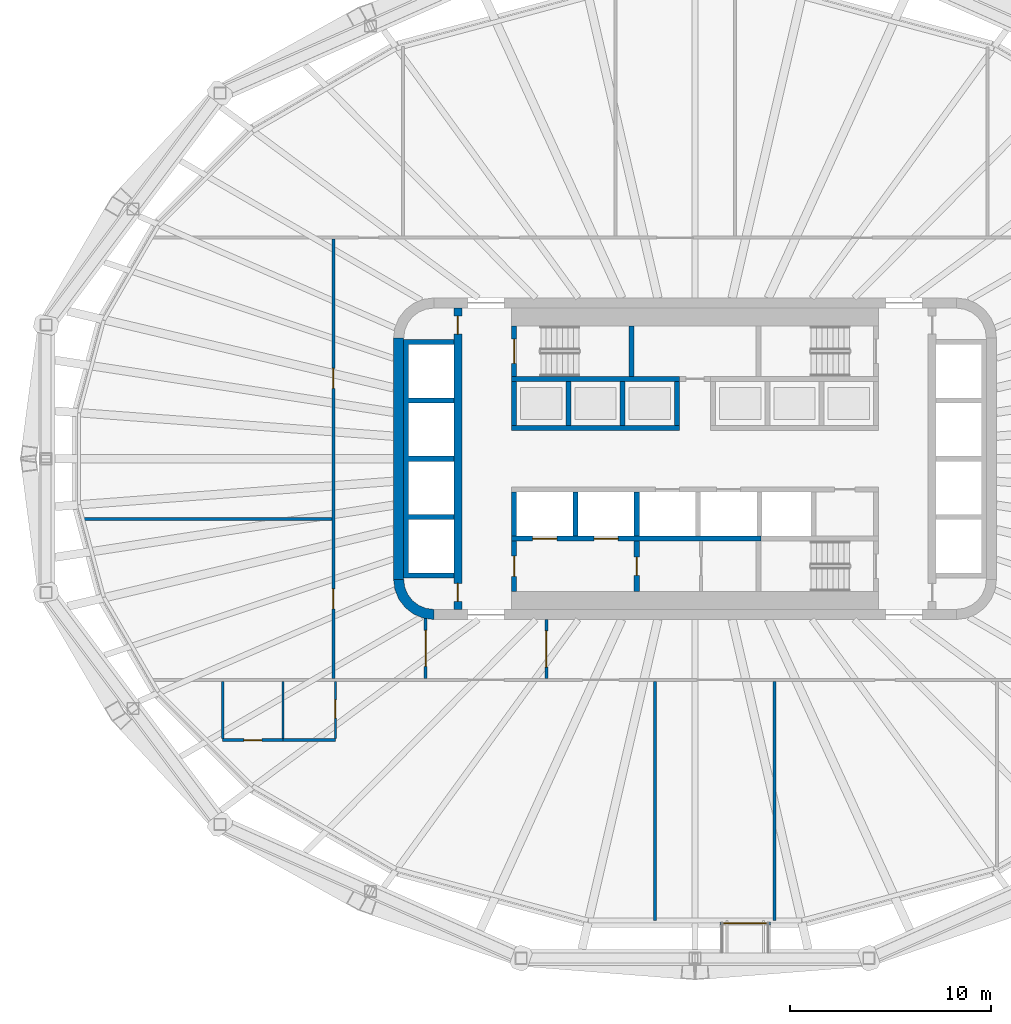
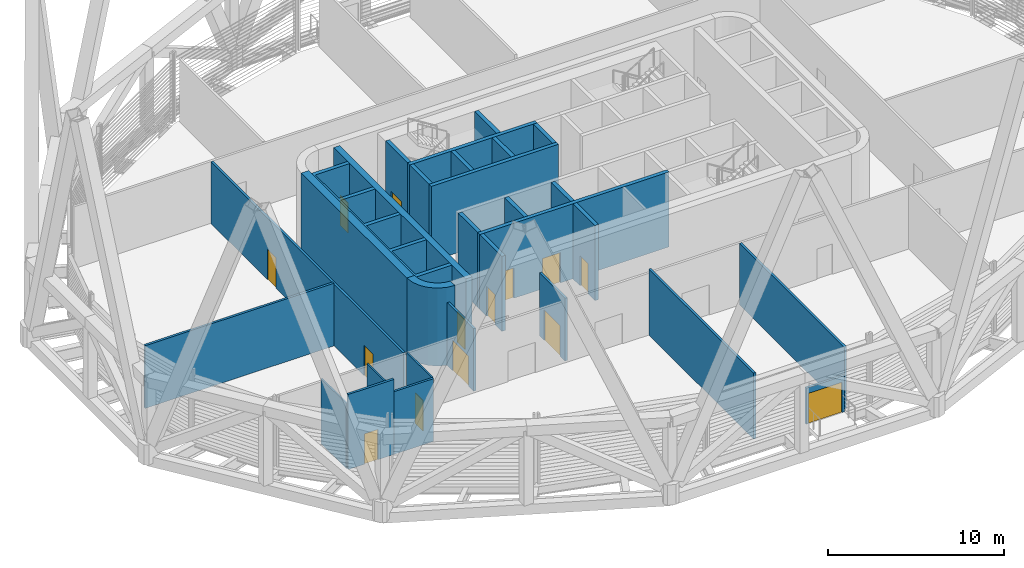
# One storey, part 6 of 18: 30 walls, 14 doors, 14 openings.
"""IFC4 building model written with IfcOpenShell, lengths in metres."""

from ifc_helpers import new_model, si_unit, direction, frame, frame_2d, origin, place, context, subcontext, project, spatial, polyline, rectangle, outline, extrude, material, layer, layer_set, type_object, element, fill, save


model = new_model("IFC4")

# Units and contexts
model_context = context("Model", 3, precision=1e-05, world=origin(), true_north=direction((0.0, 1.0)))
body_context = subcontext(model_context, "Body", "Model", "MODEL_VIEW")
ifc_project = project(units=[si_unit("LENGTHUNIT", "METRE"), si_unit("AREAUNIT", "SQUARE_METRE"), si_unit("VOLUMEUNIT", "CUBIC_METRE"), si_unit("PLANEANGLEUNIT", "RADIAN"), si_unit("MASSUNIT", "GRAM", prefix="KILO")], contexts=[model_context])

# Site, building, storey
site_placement = place(None, origin())
site = spatial("IfcSite", under=ifc_project, at=site_placement, CompositionType="ELEMENT")
building_placement = place(site_placement, origin())
building = spatial("IfcBuilding", under=site, at=building_placement, Name="Sahrelin Media Tower", CompositionType="ELEMENT")
storey_placement = place(building_placement, frame((0.0, 0.0, 197.60009765625)))
storey = spatial("IfcBuildingStorey", under=building, at=storey_placement, Name="L42", CompositionType="ELEMENT", Elevation=197.60009765625)

# Walls
ifc_material_1 = material(Name="Concrete C60/75", Category="concrete")
ifc_layer_1 = layer(ifc_material_1, 0.5)
ifc_layer_set_1 = layer_set([ifc_layer_1], Name="Core wall 500")
wall_type_1 = type_object("IfcWallType", Name="Core wall 500", PredefinedType="SHEAR", material=ifc_layer_set_1)
wall_1_placement = place(storey_placement, frame((-14.75, -6.0, 0.0), z_axis=(0.0, 0.0, 1.0), x_axis=(0.0, 1.0, 0.0)))
element("IfcWall", 1, at=wall_1_placement, inside=storey, type_object=wall_type_1, Name="Core wall W L42", PredefinedType="SHEAR", context=body_context, shape_type="SweptSolid", body=[
    extrude(rectangle(XDim=12.0, YDim=0.5, at=frame_2d((6.0, 0.0))), origin(), (0.0, 0.0, 1.0), 5.39990234375),
])
placement = place(storey_placement, origin())
element("IfcWall", 2, at=placement, inside=storey, type_object=wall_type_1, Name="Core wall corner SW L42", PredefinedType="SHEAR", context=body_context, shape_type="SweptSolid", body=[
    extrude(outline(polyline([(-13.0, -8.0), (-13.0, -7.49560546875), (-13.38720703125, -7.44482421875), (-13.747802734375, -7.29541015625), (-14.0576171875, -7.0576171875), (-14.29541015625, -6.747802734375), (-14.44482421875, -6.38720703125), (-14.49560546875, -6.0), (-15.0, -6.0), (-14.931884765625, -6.517578125), (-14.732177734375, -7.0), (-14.414306640625, -7.414306640625), (-14.0, -7.732177734375), (-13.517578125, -7.931884765625), (-13.0, -8.0)])), origin(), (0.0, 0.0, 1.0), 5.39990234375),
])

# Wall, opening, door
ifc_material_2 = material(Name="Fire-rated gypsum board partition")
ifc_layer_2 = layer(ifc_material_2, 0.14990234375)
ifc_layer_set_2 = layer_set([ifc_layer_2], Name="Fire-rated lobby wall 150")
wall_type_2 = type_object("IfcWallType", Name="Fire-rated lobby wall 150", PredefinedType="PARTITIONING", material=ifc_layer_set_2)
wall_3_placement = place(storey_placement, frame((-13.39990234375, -10.925048828125, 0.0), z_axis=(0.0, 0.0, 1.0), x_axis=(0.0, 1.0, 0.0)))
wall_3 = element("IfcWall", 3, at=wall_3_placement, inside=storey, type_object=wall_type_2, Name="Wall", PredefinedType="PARTITIONING", context=body_context, shape_type="SweptSolid", body=[
    extrude(rectangle(XDim=2.9775390625, YDim=0.14990234375, at=frame_2d((1.48876953125, 0.0))), origin(), (0.0, 0.0, 1.0), 4.344970703125),
])
opening_1_placement = place(wall_3_placement, frame((0.589111328125, 0.0, 0.0)))
opening_1 = element("IfcOpeningElement", 4, at=opening_1_placement, cuts=wall_3, Name="Opening L42-D27", PredefinedType="OPENING", context=body_context, shape_type="SweptSolid", body=[
    extrude(rectangle(XDim=1.800048828125, YDim=2.10009765625, at=frame_2d((0.89990234375, 1.050048828125))), frame((0.0, 0.074951171875, 0.0), z_axis=(0.0, -1.0, 0.0), x_axis=(1.0, 0.0, 0.0)), (0.0, 0.0, 1.0), 0.14990234375),
])
ifc_material_3 = material(Name="Steel fire door leaf", Category="steel")
door_type_1 = type_object("IfcDoorType", Name="Lobby double door 1800 x 2100 EI 60", OperationType="DOUBLE_DOOR_SINGLE_SWING", PredefinedType="DOOR", material=ifc_material_3)
door_1_placement = place(opening_1_placement, origin())
door_1 = element("IfcDoor", 5, at=door_1_placement, inside=storey, type_object=door_type_1, Name="Lobby double door", OperationType="DOUBLE_DOOR_SINGLE_SWING", OverallHeight=2.10009765625, OverallWidth=1.800048828125, PredefinedType="DOOR", context=body_context, shape_type="SweptSolid", body=[
    extrude(rectangle(XDim=1.800048828125, YDim=2.10009765625, at=frame_2d((0.89990234375, 1.050048828125))), frame((0.0, 0.02490234375, 0.0), z_axis=(0.0, -1.0, 0.0), x_axis=(1.0, 0.0, 0.0)), (0.0, 0.0, 1.0), 0.050048828125),
])
fill(opening_1, door_1)

wall_4_placement = place(storey_placement, frame((-7.39990234375, -10.925048828125, 0.0), z_axis=(0.0, 0.0, 1.0), x_axis=(0.0, 1.0, 0.0)))
wall_4 = element("IfcWall", 6, at=wall_4_placement, inside=storey, type_object=wall_type_2, Name="Wall", PredefinedType="PARTITIONING", context=body_context, shape_type="SweptSolid", body=[
    extrude(rectangle(XDim=2.925048828125, YDim=0.14990234375, at=frame_2d((1.46240234375, 0.0))), origin(), (0.0, 0.0, 1.0), 4.344970703125),
])
opening_2_placement = place(wall_4_placement, frame((0.56201171875, 0.0, 0.0)))
opening_2 = element("IfcOpeningElement", 7, at=opening_2_placement, cuts=wall_4, Name="Opening L42-D28", PredefinedType="OPENING", context=body_context, shape_type="SweptSolid", body=[
    extrude(rectangle(XDim=1.800048828125, YDim=2.10009765625, at=frame_2d((0.89990234375, 1.050048828125))), frame((0.0, 0.074951171875, 0.0), z_axis=(0.0, -1.0, 0.0), x_axis=(1.0, 0.0, 0.0)), (0.0, 0.0, 1.0), 0.14990234375),
])
door_2_placement = place(opening_2_placement, origin())
door_2 = element("IfcDoor", 8, at=door_2_placement, inside=storey, type_object=door_type_1, Name="Lobby double door", OperationType="DOUBLE_DOOR_SINGLE_SWING", OverallHeight=2.10009765625, OverallWidth=1.800048828125, PredefinedType="DOOR", context=body_context, shape_type="SweptSolid", body=[
    extrude(rectangle(XDim=1.800048828125, YDim=2.10009765625, at=frame_2d((0.89990234375, 1.050048828125))), frame((0.0, 0.02490234375, 0.0), z_axis=(0.0, -1.0, 0.0), x_axis=(1.0, 0.0, 0.0)), (0.0, 0.0, 1.0), 0.050048828125),
])
fill(opening_2, door_2)

# Wall, openings, doors
ifc_layer_3 = layer(ifc_material_2, 0.14990234375)
ifc_layer_set_3 = layer_set([ifc_layer_3], Name="Fire-rated partition 150")
wall_type_3 = type_object("IfcWallType", Name="Fire-rated partition 150", PredefinedType="PARTITIONING", material=ifc_layer_set_3)
wall_5_placement = place(storey_placement, frame((-18.0, -10.925048828125, 0.0), z_axis=(0.0, 0.0, 1.0), x_axis=(0.0, 1.0, 0.0)))
wall_5 = element("IfcWall", 9, at=wall_5_placement, inside=storey, type_object=wall_type_3, Name="Wall", PredefinedType="PARTITIONING", context=body_context, shape_type="SweptSolid", body=[
    extrude(rectangle(XDim=21.85009765625, YDim=0.14990234375, at=frame_2d((10.925048828125, 0.0))), origin(), (0.0, 0.0, 1.0), 4.27685546875),
])
opening_3_placement = place(wall_5_placement, frame((3.449951171875, 0.0, 0.0)))
opening_3 = element("IfcOpeningElement", 10, at=opening_3_placement, cuts=wall_5, Name="Opening L42-D25", PredefinedType="OPENING", context=body_context, shape_type="SweptSolid", body=[
    extrude(rectangle(XDim=1.0, YDim=2.10009765625, at=frame_2d((0.5, 1.050048828125))), frame((0.0, 0.074951171875, 0.0), z_axis=(0.0, -1.0, 0.0), x_axis=(1.0, 0.0, 0.0)), (0.0, 0.0, 1.0), 0.14990234375),
])
opening_4_placement = place(wall_5_placement, frame((14.425048828125, 0.0, 0.0)))
opening_4 = element("IfcOpeningElement", 11, at=opening_4_placement, cuts=wall_5, Name="Opening L42-D26", PredefinedType="OPENING", context=body_context, shape_type="SweptSolid", body=[
    extrude(rectangle(XDim=1.0, YDim=2.10009765625, at=frame_2d((0.5, 1.050048828125))), frame((0.0, 0.074951171875, 0.0), z_axis=(0.0, -1.0, 0.0), x_axis=(1.0, 0.0, 0.0)), (0.0, 0.0, 1.0), 0.14990234375),
])
door_type_2 = type_object("IfcDoorType", Name="Fire door 1000 x 2100 EI 60", OperationType="NOTDEFINED", PredefinedType="DOOR", material=ifc_material_3)
door_3_placement = place(opening_3_placement, origin())
door_3 = element("IfcDoor", 12, at=door_3_placement, inside=storey, type_object=door_type_2, Name="Fire door", OperationType="SINGLE_SWING_LEFT", OverallHeight=2.10009765625, OverallWidth=1.0, PredefinedType="DOOR", context=body_context, shape_type="SweptSolid", body=[
    extrude(rectangle(XDim=1.0, YDim=2.10009765625, at=frame_2d((0.5, 1.050048828125))), frame((0.0, 0.02490234375, 0.0), z_axis=(0.0, -1.0, 0.0), x_axis=(1.0, 0.0, 0.0)), (0.0, 0.0, 1.0), 0.050048828125),
])
fill(opening_3, door_3)
door_4_placement = place(opening_4_placement, origin())
door_4 = element("IfcDoor", 13, at=door_4_placement, inside=storey, type_object=door_type_2, Name="Fire door", OperationType="SINGLE_SWING_RIGHT", OverallHeight=2.10009765625, OverallWidth=1.0, PredefinedType="DOOR", context=body_context, shape_type="SweptSolid", body=[
    extrude(rectangle(XDim=1.0, YDim=2.10009765625, at=frame_2d((0.5, 1.050048828125))), frame((0.0, 0.02490234375, 0.0), z_axis=(0.0, -1.0, 0.0), x_axis=(1.0, 0.0, 0.0)), (0.0, 0.0, 1.0), 0.050048828125),
])
fill(opening_4, door_4)

# Walls
wall_6_placement = place(storey_placement, frame((-2.0, -11.074951171875, 0.0), z_axis=(0.0, 0.0, 1.0), x_axis=(0.0, -1.0, 0.0)))
element("IfcWall", 14, at=wall_6_placement, inside=storey, type_object=wall_type_3, Name="Wall", PredefinedType="PARTITIONING", context=body_context, shape_type="SweptSolid", body=[
    extrude(rectangle(XDim=11.894287109375, YDim=0.14990234375, at=frame_2d((5.947265625, 0.0))), origin(), (0.0, 0.0, 1.0), 4.577392578125),
])
wall_7_placement = place(storey_placement, frame((3.949951171875, -11.074951171875, 0.0), z_axis=(0.0, 0.0, 1.0), x_axis=(0.0, -1.0, 0.0)))
element("IfcWall", 15, at=wall_7_placement, inside=storey, type_object=wall_type_3, Name="Wall", PredefinedType="PARTITIONING", context=body_context, shape_type="SweptSolid", body=[
    extrude(rectangle(XDim=11.894287109375, YDim=0.14990234375, at=frame_2d((5.947265625, 0.0))), origin(), (0.0, 0.0, 1.0), 4.27685546875),
])
wall_8_placement = place(storey_placement, frame((-18.074951171875, -3.0, 0.0), z_axis=(0.0, 0.0, 1.0), x_axis=(-1.0, 0.0, 0.0)))
element("IfcWall", 16, at=wall_8_placement, inside=storey, type_object=wall_type_3, Name="Wall", PredefinedType="PARTITIONING", context=body_context, shape_type="SweptSolid", body=[
    extrude(rectangle(XDim=12.382568359375, YDim=0.14990234375, at=frame_2d((6.19140625, 0.0))), origin(), (0.0, 0.0, 1.0), 4.344970703125),
])

# Wall, opening, door
wall_9_placement = place(storey_placement, frame((-23.499267578125, -14.0, 0.0), z_axis=(0.0, 0.0, 1.0), x_axis=(1.0, 0.0, 0.0)))
wall_9 = element("IfcWall", 17, at=wall_9_placement, inside=storey, type_object=wall_type_3, Name="Wall", PredefinedType="PARTITIONING", context=body_context, shape_type="SweptSolid", body=[
    extrude(rectangle(XDim=3.0, YDim=0.14990234375, at=frame_2d((1.5, 0.0))), origin(), (0.0, 0.0, 1.0), 5.199951171875),
])
opening_5_placement = place(wall_9_placement, frame((1.050048828125, 0.0, 0.0)))
opening_5 = element("IfcOpeningElement", 18, at=opening_5_placement, cuts=wall_9, Name="Opening L42-D31", PredefinedType="OPENING", context=body_context, shape_type="SweptSolid", body=[
    extrude(rectangle(XDim=0.89990234375, YDim=2.10009765625, at=frame_2d((0.449951171875, 1.050048828125))), frame((0.0, 0.074951171875, 0.0), z_axis=(0.0, -1.0, 0.0), x_axis=(1.0, 0.0, 0.0)), (0.0, 0.0, 1.0), 0.14990234375),
])
ifc_material_4 = material(Name="Timber door leaf", Category="wood")
door_type_3 = type_object("IfcDoorType", Name="Single door 900 x 2100", OperationType="NOTDEFINED", PredefinedType="DOOR", material=ifc_material_4)
door_5_placement = place(opening_5_placement, origin())
door_5 = element("IfcDoor", 19, at=door_5_placement, inside=storey, type_object=door_type_3, Name="Single door", OperationType="SINGLE_SWING_RIGHT", OverallHeight=2.10009765625, OverallWidth=0.89990234375, PredefinedType="DOOR", context=body_context, shape_type="SweptSolid", body=[
    extrude(rectangle(XDim=0.89990234375, YDim=2.10009765625, at=frame_2d((0.449951171875, 1.050048828125))), frame((0.0, 0.02490234375, 0.0), z_axis=(0.0, -1.0, 0.0), x_axis=(1.0, 0.0, 0.0)), (0.0, 0.0, 1.0), 0.050048828125),
])
fill(opening_5, door_5)

# Wall
wall_10_placement = place(storey_placement, frame((-20.499267578125, -14.0, 0.0), z_axis=(0.0, 0.0, 1.0), x_axis=(1.0, 0.0, 0.0)))
element("IfcWall", 20, at=wall_10_placement, inside=storey, type_object=wall_type_3, Name="Wall", PredefinedType="PARTITIONING", context=body_context, shape_type="SweptSolid", body=[
    extrude(rectangle(XDim=2.60009765625, YDim=0.14990234375, at=frame_2d((1.300048828125, 0.0))), origin(), (0.0, 0.0, 1.0), 4.344970703125),
])

# Wall, opening, door
ifc_layer_4 = layer(ifc_material_2, 0.25)
ifc_layer_set_4 = layer_set([ifc_layer_4], Name="Firefighting lobby wall 250")
wall_type_4 = type_object("IfcWallType", Name="Firefighting lobby wall 250", PredefinedType="PARTITIONING", material=ifc_layer_set_4)
wall_11_placement = place(storey_placement, frame((-9.0, -6.60009765625, 0.0), z_axis=(0.0, 0.0, 1.0), x_axis=(0.0, 1.0, 0.0)))
wall_11 = element("IfcWall", 21, at=wall_11_placement, inside=storey, type_object=wall_type_4, Name="Core wall", PredefinedType="PARTITIONING", context=body_context, shape_type="SweptSolid", body=[
    extrude(rectangle(XDim=2.5, YDim=0.25, at=frame_2d((1.25, 0.0))), origin(), (0.0, 0.0, 1.0), 5.199951171875),
])
opening_6_placement = place(wall_11_placement, frame((0.75, 0.0, 0.0)))
opening_6 = element("IfcOpeningElement", 22, at=opening_6_placement, cuts=wall_11, Name="Opening L42-D04", PredefinedType="OPENING", context=body_context, shape_type="SweptSolid", body=[
    extrude(rectangle(XDim=1.0, YDim=2.10009765625, at=frame_2d((0.5, 1.050048828125))), frame((0.0, 0.125, 0.0), z_axis=(0.0, -1.0, 0.0), x_axis=(1.0, 0.0, 0.0)), (0.0, 0.0, 1.0), 0.25),
])
door_type_4 = type_object("IfcDoorType", Name="Firefighting lobby door 1000 x 2100 EI 120", OperationType="NOTDEFINED", PredefinedType="DOOR", material=ifc_material_3)
door_6_placement = place(opening_6_placement, origin())
door_6 = element("IfcDoor", 23, at=door_6_placement, inside=storey, type_object=door_type_4, Name="Firefighting lobby door", OperationType="SINGLE_SWING_LEFT", OverallHeight=2.10009765625, OverallWidth=1.0, PredefinedType="DOOR", context=body_context, shape_type="SweptSolid", body=[
    extrude(rectangle(XDim=1.0, YDim=2.10009765625, at=frame_2d((0.5, 1.050048828125))), frame((0.0, 0.02490234375, 0.0), z_axis=(0.0, -1.0, 0.0), x_axis=(1.0, 0.0, 0.0)), (0.0, 0.0, 1.0), 0.050048828125),
])
fill(opening_6, door_6)

wall_12_placement = place(storey_placement, frame((-2.89990234375, -6.60009765625, 0.0), z_axis=(0.0, 0.0, 1.0), x_axis=(0.0, 1.0, 0.0)))
wall_12 = element("IfcWall", 24, at=wall_12_placement, inside=storey, type_object=wall_type_4, Name="Core wall", PredefinedType="PARTITIONING", context=body_context, shape_type="SweptSolid", body=[
    extrude(rectangle(XDim=2.5, YDim=0.25, at=frame_2d((1.25, 0.0))), origin(), (0.0, 0.0, 1.0), 5.199951171875),
])
opening_7_placement = place(wall_12_placement, frame((0.800048828125, 0.0, 0.0)))
opening_7 = element("IfcOpeningElement", 25, at=opening_7_placement, cuts=wall_12, Name="Opening L42-D05", PredefinedType="OPENING", context=body_context, shape_type="SweptSolid", body=[
    extrude(rectangle(XDim=0.89990234375, YDim=2.10009765625, at=frame_2d((0.449951171875, 1.050048828125))), frame((0.0, 0.125, 0.0), z_axis=(0.0, -1.0, 0.0), x_axis=(1.0, 0.0, 0.0)), (0.0, 0.0, 1.0), 0.25),
])
door_type_5 = type_object("IfcDoorType", Name="Firefighting lobby door 900 x 2100 EI 120", OperationType="NOTDEFINED", PredefinedType="DOOR", material=ifc_material_3)
door_7_placement = place(opening_7_placement, origin())
door_7 = element("IfcDoor", 26, at=door_7_placement, inside=storey, type_object=door_type_5, Name="Riser door", OperationType="SINGLE_SWING_RIGHT", OverallHeight=2.10009765625, OverallWidth=0.89990234375, PredefinedType="DOOR", context=body_context, shape_type="SweptSolid", body=[
    extrude(rectangle(XDim=0.89990234375, YDim=2.10009765625, at=frame_2d((0.449951171875, 1.050048828125))), frame((0.0, 0.02490234375, 0.0), z_axis=(0.0, -1.0, 0.0), x_axis=(1.0, 0.0, 0.0)), (0.0, 0.0, 1.0), 0.050048828125),
])
fill(opening_7, door_7)

# Walls
ifc_layer_5 = layer(ifc_material_1, 0.25)
ifc_layer_set_5 = layer_set([ifc_layer_5], Name="Lift shaft wall 250")
wall_type_5 = type_object("IfcWallType", Name="Lift shaft wall 250", PredefinedType="SOLIDWALL", material=ifc_layer_set_5)
for number, where, z_axis, x_axis, name in (
    (27, (-9.125, 1.52490234375, 0.0), (0.0, 0.0, 1.0), (1.0, 0.0, 0.0), "Lift shaft wall"),
    (28, (-9.125, 3.97509765625, 0.0), (0.0, 0.0, 1.0), (1.0, 0.0, 0.0), "Lift shaft wall"),
):
    element("IfcWall", number, at=place(storey_placement, frame(where, z_axis=z_axis, x_axis=x_axis)), inside=storey, type_object=wall_type_5, Name=name, PredefinedType="SOLIDWALL", context=body_context, shape_type="SweptSolid", body=[
        extrude(rectangle(XDim=8.35009765625, YDim=0.25, at=frame_2d((4.175048828125, 0.0))), origin(), (0.0, 0.0, 1.0), 5.199951171875),
    ])
for number, where, z_axis, x_axis, name in (
    (29, (-9.0, 1.64990234375, 0.0), (0.0, 0.0, 1.0), (0.0, 1.0, 0.0), "Lift shaft wall"),
    (30, (-6.300048828125, 1.64990234375, 0.0), (0.0, 0.0, 1.0), (0.0, 1.0, 0.0), "Lift shaft wall"),
    (31, (-3.60009765625, 1.64990234375, 0.0), (0.0, 0.0, 1.0), (0.0, 1.0, 0.0), "Lift shaft wall"),
    (32, (-0.89990234375, 1.64990234375, 0.0), (0.0, 0.0, 1.0), (0.0, 1.0, 0.0), "Lift shaft wall"),
):
    element("IfcWall", number, at=place(storey_placement, frame(where, z_axis=z_axis, x_axis=x_axis)), inside=storey, type_object=wall_type_5, Name=name, PredefinedType="SOLIDWALL", context=body_context, shape_type="SweptSolid", body=[
        extrude(rectangle(XDim=2.2001953125, YDim=0.25, at=frame_2d((1.10009765625, 0.0))), origin(), (0.0, 0.0, 1.0), 5.199951171875),
    ])

# Wall, openings, doors
wall_13_placement = place(storey_placement, frame((-9.125, -3.97509765625, 0.0), z_axis=(0.0, 0.0, 1.0), x_axis=(1.0, 0.0, 0.0)))
wall_13 = element("IfcWall", 33, at=wall_13_placement, inside=storey, type_object=wall_type_5, Name="Lift shaft wall", PredefinedType="SOLIDWALL", context=body_context, shape_type="SweptSolid", body=[
    extrude(rectangle(XDim=12.39990234375, YDim=0.25, at=frame_2d((6.199951171875, 0.0))), origin(), (0.0, 0.0, 1.0), 5.199951171875),
])
opening_8_placement = place(wall_13_placement, frame((1.050048828125, 0.0, 0.0)))
opening_8 = element("IfcOpeningElement", 34, at=opening_8_placement, cuts=wall_13, Name="Opening L42-LD-FF1", PredefinedType="OPENING", context=body_context, shape_type="SweptSolid", body=[
    extrude(rectangle(XDim=1.199951171875, YDim=2.10009765625, at=frame_2d((0.60009765625, 1.050048828125))), frame((0.0, 0.125, 0.0), z_axis=(0.0, -1.0, 0.0), x_axis=(1.0, 0.0, 0.0)), (0.0, 0.0, 1.0), 0.25),
])
opening_9_placement = place(wall_13_placement, frame((4.10009765625, 0.0, 0.0)))
opening_9 = element("IfcOpeningElement", 35, at=opening_9_placement, cuts=wall_13, Name="Opening L42-LD-FF2", PredefinedType="OPENING", context=body_context, shape_type="SweptSolid", body=[
    extrude(rectangle(XDim=1.199951171875, YDim=2.10009765625, at=frame_2d((0.60009765625, 1.050048828125))), frame((0.0, 0.125, 0.0), z_axis=(0.0, -1.0, 0.0), x_axis=(1.0, 0.0, 0.0)), (0.0, 0.0, 1.0), 0.25),
])
ifc_material_5 = material(Name="Stainless steel", Category="steel")
door_type_6 = type_object("IfcDoorType", Name="Lift landing door 1200 x 2100 EI 120", OperationType="DOUBLE_DOOR_SLIDING", PredefinedType="DOOR", material=ifc_material_5)
door_8_placement = place(opening_8_placement, origin())
door_8 = element("IfcDoor", 36, at=door_8_placement, inside=storey, type_object=door_type_6, Name="Lift landing door FF1", OperationType="DOUBLE_DOOR_SLIDING", OverallHeight=2.10009765625, OverallWidth=1.199951171875, PredefinedType="DOOR", context=body_context, shape_type="SweptSolid", body=[
    extrude(rectangle(XDim=1.199951171875, YDim=2.10009765625, at=frame_2d((0.60009765625, 1.050048828125))), frame((0.0, 0.02490234375, 0.0), z_axis=(0.0, -1.0, 0.0), x_axis=(1.0, 0.0, 0.0)), (0.0, 0.0, 1.0), 0.050048828125),
])
fill(opening_8, door_8)
door_9_placement = place(opening_9_placement, origin())
door_9 = element("IfcDoor", 37, at=door_9_placement, inside=storey, type_object=door_type_6, Name="Lift landing door FF2", OperationType="DOUBLE_DOOR_SLIDING", OverallHeight=2.10009765625, OverallWidth=1.199951171875, PredefinedType="DOOR", context=body_context, shape_type="SweptSolid", body=[
    extrude(rectangle(XDim=1.199951171875, YDim=2.10009765625, at=frame_2d((0.60009765625, 1.050048828125))), frame((0.0, 0.02490234375, 0.0), z_axis=(0.0, -1.0, 0.0), x_axis=(1.0, 0.0, 0.0)), (0.0, 0.0, 1.0), 0.050048828125),
])
fill(opening_9, door_9)

# Walls
for number, where, z_axis, x_axis, name in (
    (38, (-9.0, -3.85009765625, 0.0), (0.0, 0.0, 1.0), (0.0, 1.0, 0.0), "Lift shaft wall"),
    (39, (-5.949951171875, -3.85009765625, 0.0), (0.0, 0.0, 1.0), (0.0, 1.0, 0.0), "Lift shaft wall"),
    (40, (-2.89990234375, -3.85009765625, 0.0), (0.0, 0.0, 1.0), (0.0, 1.0, 0.0), "Lift shaft wall"),
):
    element("IfcWall", number, at=place(storey_placement, frame(where, z_axis=z_axis, x_axis=x_axis)), inside=storey, type_object=wall_type_5, Name=name, PredefinedType="SOLIDWALL", context=body_context, shape_type="SweptSolid", body=[
        extrude(rectangle(XDim=2.2001953125, YDim=0.25, at=frame_2d((1.10009765625, 0.0))), origin(), (0.0, 0.0, 1.0), 5.199951171875),
    ])
element("IfcWall", 41, at=placement, inside=storey, type_object=wall_type_5, Name="Lift shaft wall", PredefinedType="SOLIDWALL", context=body_context, shape_type="SweptSolid", body=[
    extrude(outline(polyline([(-12.0, -5.925048828125), (-12.0, -5.675048828125), (-14.25, -5.675048828125), (-14.25, -3.02490234375), (-12.0, -3.02490234375), (-12.0, -2.77490234375), (-14.25, -2.77490234375), (-14.25, -0.125), (-12.0, -0.125), (-12.0, 0.125), (-14.25, 0.125), (-14.25, 2.77490234375), (-12.0, 2.77490234375), (-12.0, 3.02490234375), (-14.25, 3.02490234375), (-14.25, 5.675048828125), (-12.0, 5.675048828125), (-12.0, 5.925048828125), (-14.25, 5.925048828125), (-14.5, 5.925048828125), (-14.5, 5.675048828125), (-14.5, 3.02490234375), (-14.5, 2.77490234375), (-14.5, 0.125), (-14.5, -0.125), (-14.5, -2.77490234375), (-14.5, -3.02490234375), (-14.5, -5.675048828125), (-14.5, -5.925048828125), (-14.25, -5.925048828125), (-12.0, -5.925048828125)])), origin(), (0.0, 0.0, 1.0), 5.199951171875),
])

# Wall, openings, doors
ifc_layer_6 = layer(ifc_material_1, 0.39990234375)
ifc_layer_set_6 = layer_set([ifc_layer_6], Name="Lift shaft wall 400")
wall_type_6 = type_object("IfcWallType", Name="Lift shaft wall 400", PredefinedType="SOLIDWALL", material=ifc_layer_set_6)
wall_15_placement = place(storey_placement, frame((-11.800048828125, -7.5, 0.0), z_axis=(0.0, 0.0, 1.0), x_axis=(0.0, 1.0, 0.0)))
wall_15 = element("IfcWall", 42, at=wall_15_placement, inside=storey, type_object=wall_type_6, Name="Lift shaft wall", PredefinedType="SOLIDWALL", context=body_context, shape_type="SweptSolid", body=[
    extrude(rectangle(XDim=15.0, YDim=0.39990234375, at=frame_2d((7.5, 0.0))), origin(), (0.0, 0.0, 1.0), 5.199951171875),
])
opening_10_placement = place(wall_15_placement, frame((13.696533203125, 0.0, 0.0)))
opening_10 = element("IfcOpeningElement", 43, at=opening_10_placement, cuts=wall_15, Name="Opening L42-D09", PredefinedType="OPENING", context=body_context, shape_type="SweptSolid", body=[
    extrude(rectangle(XDim=0.89990234375, YDim=2.10009765625, at=frame_2d((0.449951171875, 1.050048828125))), frame((0.0, 0.199951171875, 0.0), z_axis=(0.0, -1.0, 0.0), x_axis=(1.0, 0.0, 0.0)), (0.0, 0.0, 1.0), 0.39990234375),
])
opening_11_placement = place(wall_15_placement, frame((0.4033203125, 0.0, 0.0)))
opening_11 = element("IfcOpeningElement", 44, at=opening_11_placement, cuts=wall_15, Name="Opening L42-D10", PredefinedType="OPENING", context=body_context, shape_type="SweptSolid", body=[
    extrude(rectangle(XDim=0.89990234375, YDim=2.10009765625, at=frame_2d((0.449951171875, 1.050048828125))), frame((0.0, 0.199951171875, 0.0), z_axis=(0.0, -1.0, 0.0), x_axis=(1.0, 0.0, 0.0)), (0.0, 0.0, 1.0), 0.39990234375),
])
door_type_7 = type_object("IfcDoorType", Name="Riser door 900 x 2100 EI 120", OperationType="NOTDEFINED", PredefinedType="DOOR", material=ifc_material_3)
door_10_placement = place(opening_10_placement, origin())
door_10 = element("IfcDoor", 45, at=door_10_placement, inside=storey, type_object=door_type_7, Name="Riser door", OperationType="SINGLE_SWING_LEFT", OverallHeight=2.10009765625, OverallWidth=0.89990234375, PredefinedType="DOOR", context=body_context, shape_type="SweptSolid", body=[
    extrude(rectangle(XDim=0.89990234375, YDim=2.10009765625, at=frame_2d((0.449951171875, 1.050048828125))), frame((0.0, 0.02490234375, 0.0), z_axis=(0.0, -1.0, 0.0), x_axis=(1.0, 0.0, 0.0)), (0.0, 0.0, 1.0), 0.050048828125),
])
fill(opening_10, door_10)
door_11_placement = place(opening_11_placement, origin())
door_11 = element("IfcDoor", 46, at=door_11_placement, inside=storey, type_object=door_type_7, Name="Riser door", OperationType="SINGLE_SWING_LEFT", OverallHeight=2.10009765625, OverallWidth=0.89990234375, PredefinedType="DOOR", context=body_context, shape_type="SweptSolid", body=[
    extrude(rectangle(XDim=0.89990234375, YDim=2.10009765625, at=frame_2d((0.449951171875, 1.050048828125))), frame((0.0, 0.02490234375, 0.0), z_axis=(0.0, -1.0, 0.0), x_axis=(1.0, 0.0, 0.0)), (0.0, 0.0, 1.0), 0.050048828125),
])
fill(opening_11, door_11)

# Walls
ifc_material_6 = material(Name="Gypsum board partition")
ifc_layer_7 = layer(ifc_material_6, 0.10009765625)
ifc_layer_set_7 = layer_set([ifc_layer_7], Name="Partition 100")
wall_type_7 = type_object("IfcWallType", Name="Partition 100", PredefinedType="PARTITIONING", material=ifc_layer_set_7)
for number, where, z_axis, x_axis, name in (
    (47, (-23.499267578125, -13.925048828125, 0.0), (0.0, 0.0, 1.0), (0.0, 1.0, 0.0), "Wall"),
    (48, (-20.499267578125, -13.925048828125, 0.0), (0.0, 0.0, 1.0), (0.0, 1.0, 0.0), "Wall"),
):
    element("IfcWall", number, at=place(storey_placement, frame(where, z_axis=z_axis, x_axis=x_axis)), inside=storey, type_object=wall_type_7, Name=name, PredefinedType="PARTITIONING", context=body_context, shape_type="SweptSolid", body=[
        extrude(rectangle(XDim=2.85009765625, YDim=0.10009765625, at=frame_2d((1.425048828125, 0.0))), origin(), (0.0, 0.0, 1.0), 4.501953125),
    ])

# Wall, opening, door
wall_16_placement = place(storey_placement, frame((-17.899169921875, -13.925048828125, 0.0), z_axis=(0.0, 0.0, 1.0), x_axis=(0.0, 1.0, 0.0)))
wall_16 = element("IfcWall", 49, at=wall_16_placement, inside=storey, type_object=wall_type_7, Name="Wall", PredefinedType="PARTITIONING", context=body_context, shape_type="SweptSolid", body=[
    extrude(rectangle(XDim=2.85009765625, YDim=0.10009765625, at=frame_2d((1.425048828125, 0.0))), origin(), (0.0, 0.0, 1.0), 4.344970703125),
])
opening_12_placement = place(wall_16_placement, frame((1.02490234375, 0.0, 0.0)))
opening_12 = element("IfcOpeningElement", 50, at=opening_12_placement, cuts=wall_16, Name="Opening L42-D32", PredefinedType="OPENING", context=body_context, shape_type="SweptSolid", body=[
    extrude(rectangle(XDim=0.89990234375, YDim=2.10009765625, at=frame_2d((0.449951171875, 1.050048828125))), frame((0.0, 0.050048828125, 0.0), z_axis=(0.0, -1.0, 0.0), x_axis=(1.0, 0.0, 0.0)), (0.0, 0.0, 1.0), 0.10009765625),
])
door_12_placement = place(opening_12_placement, origin())
door_12 = element("IfcDoor", 51, at=door_12_placement, inside=storey, type_object=door_type_3, Name="Single door", OperationType="SINGLE_SWING_RIGHT", OverallHeight=2.10009765625, OverallWidth=0.89990234375, PredefinedType="DOOR", context=body_context, shape_type="SweptSolid", body=[
    extrude(rectangle(XDim=0.89990234375, YDim=2.10009765625, at=frame_2d((0.449951171875, 1.050048828125))), frame((0.0, 0.02490234375, 0.0), z_axis=(0.0, -1.0, 0.0), x_axis=(1.0, 0.0, 0.0)), (0.0, 0.0, 1.0), 0.050048828125),
])
fill(opening_12, door_12)

ifc_material_7 = material(Name="Aluminium louvre cladding 6063-T6", Category="aluminium")
ifc_layer_8 = layer(ifc_material_7, 0.14990234375)
ifc_layer_set_8 = layer_set([ifc_layer_8], Name="Plant louvre door wall")
wall_type_8 = type_object("IfcWallType", Name="Plant louvre door wall", PredefinedType="SOLIDWALL", material=ifc_layer_set_8)
wall_17_placement = place(storey_placement, frame((3.75, -23.119140625, 0.0), z_axis=(0.0, 0.0, 1.0), x_axis=(-1.0, 0.0, 0.0)))
wall_17 = element("IfcWall", 52, at=wall_17_placement, inside=storey, type_object=wall_type_8, Name="Plant louvre door wall L42-18", PredefinedType="SOLIDWALL", context=body_context, shape_type="SweptSolid", body=[
    extrude(rectangle(XDim=2.5, YDim=0.14990234375, at=frame_2d((1.25, 0.0))), origin(), (0.0, 0.0, 1.0), 2.5),
])
opening_13_placement = place(wall_17_placement, frame((0.14990234375, 0.0, 0.0)))
opening_13 = element("IfcOpeningElement", 53, at=opening_13_placement, cuts=wall_17, Name="Opening MD08", PredefinedType="OPENING", context=body_context, shape_type="SweptSolid", body=[
    extrude(rectangle(XDim=2.199951171875, YDim=2.10009765625, at=frame_2d((1.10009765625, 1.050048828125))), frame((0.0, 0.074951171875, 0.0), z_axis=(0.0, -1.0, 0.0), x_axis=(1.0, 0.0, 0.0)), (0.0, 0.0, 1.0), 0.14990234375),
])
ifc_material_8 = material(Name="Champagne anodised aluminium 6063-T6", Category="aluminium")
door_type_8 = type_object("IfcDoorType", Name="Plant maintenance door 2200x2100", OperationType="DOUBLE_DOOR_SINGLE_SWING", PredefinedType="DOOR", material=ifc_material_8)
door_13_placement = place(opening_13_placement, origin())
door_13 = element("IfcDoor", 54, at=door_13_placement, inside=storey, type_object=door_type_8, Name="Plant maintenance door MD08", OperationType="DOUBLE_DOOR_SINGLE_SWING", OverallHeight=2.10009765625, OverallWidth=2.199951171875, PredefinedType="DOOR", context=body_context, shape_type="SweptSolid", body=[
    extrude(rectangle(XDim=2.199951171875, YDim=2.10009765625, at=frame_2d((1.10009765625, 1.050048828125))), frame((0.0, 0.02490234375, 0.0), z_axis=(0.0, -1.0, 0.0), x_axis=(1.0, 0.0, 0.0)), (0.0, 0.0, 1.0), 0.050048828125),
])
fill(opening_13, door_13)

ifc_layer_9 = layer(ifc_material_1, 0.25)
ifc_layer_set_9 = layer_set([ifc_layer_9], Name="Stair enclosure wall 250")
wall_type_9 = type_object("IfcWallType", Name="Stair enclosure wall 250", PredefinedType="SOLIDWALL", material=ifc_layer_set_9)
wall_18_placement = place(storey_placement, frame((-9.0, 4.10009765625, 0.0), z_axis=(0.0, 0.0, 1.0), x_axis=(0.0, 1.0, 0.0)))
wall_18 = element("IfcWall", 55, at=wall_18_placement, inside=storey, type_object=wall_type_9, Name="Stair enclosure wall", PredefinedType="SOLIDWALL", context=body_context, shape_type="SweptSolid", body=[
    extrude(rectangle(XDim=2.5, YDim=0.25, at=frame_2d((1.25, 0.0))), origin(), (0.0, 0.0, 1.0), 5.199951171875),
])
opening_14_placement = place(wall_18_placement, frame((0.64990234375, 0.0, 0.0)))
opening_14 = element("IfcOpeningElement", 56, at=opening_14_placement, cuts=wall_18, Name="Opening L42-D01", PredefinedType="OPENING", context=body_context, shape_type="SweptSolid", body=[
    extrude(rectangle(XDim=1.199951171875, YDim=2.10009765625, at=frame_2d((0.60009765625, 1.050048828125))), frame((0.0, 0.125, 0.0), z_axis=(0.0, -1.0, 0.0), x_axis=(1.0, 0.0, 0.0)), (0.0, 0.0, 1.0), 0.25),
])
door_type_9 = type_object("IfcDoorType", Name="Stair door 1200 x 2100 EI 120", OperationType="NOTDEFINED", PredefinedType="DOOR", material=ifc_material_3)
door_14_placement = place(opening_14_placement, origin())
door_14 = element("IfcDoor", 57, at=door_14_placement, inside=storey, type_object=door_type_9, Name="Stair door ST1", OperationType="SINGLE_SWING_RIGHT", OverallHeight=2.10009765625, OverallWidth=1.199951171875, PredefinedType="DOOR", context=body_context, shape_type="SweptSolid", body=[
    extrude(rectangle(XDim=1.199951171875, YDim=2.10009765625, at=frame_2d((0.60009765625, 1.050048828125))), frame((0.0, 0.02490234375, 0.0), z_axis=(0.0, -1.0, 0.0), x_axis=(1.0, 0.0, 0.0)), (0.0, 0.0, 1.0), 0.050048828125),
])
fill(opening_14, door_14)

# Wall
wall_19_placement = place(storey_placement, frame((-3.14990234375, 4.10009765625, 0.0), z_axis=(0.0, 0.0, 1.0), x_axis=(0.0, 1.0, 0.0)))
element("IfcWall", 58, at=wall_19_placement, inside=storey, type_object=wall_type_9, Name="Stair enclosure wall", PredefinedType="SOLIDWALL", context=body_context, shape_type="SweptSolid", body=[
    extrude(rectangle(XDim=2.5, YDim=0.25, at=frame_2d((1.25, 0.0))), origin(), (0.0, 0.0, 1.0), 5.199951171875),
])

save(model, "model.ifc")
